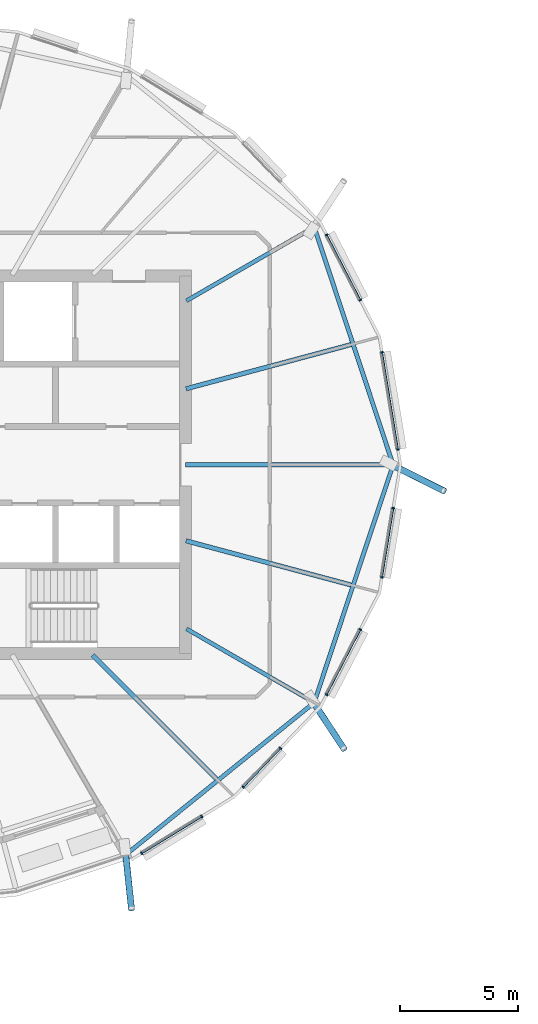
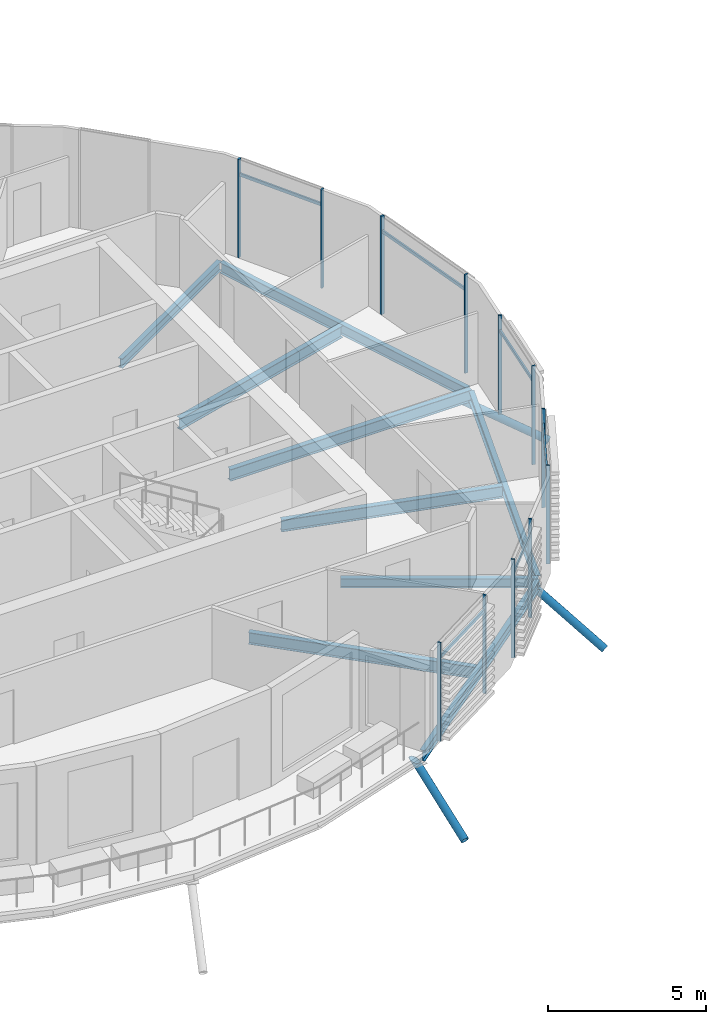
# One storey, part 6 of 41: 21 members, 9 beams, 1 element without a shape of its own.
"""IFC4 building model written with IfcOpenShell, lengths in metres."""

import ifcopenshell
import ifcopenshell.guid

model = None  # the IFC model being written
_history = None  # IfcOwnerHistory: only IFC2X3 demands one
_inside = {}  # id of a spatial element -> (the spatial element, [elements in it])
_under = {}  # id of a project, library or spatial element -> (it, [spatial elements below it])
_declared = {}  # id of a project -> (the project, [libraries it declares])
_typed = {}  # id of a type object -> (the type object, [elements of that type])
_made_of = {}  # id of a material, layer set ... -> (it, [elements and type objects made of it])


def new_model(schema):
    """Start an empty IFC model of exactly this schema.

    Asked for "IFC4X3", IfcOpenShell would pick the latest addendum, in which some entities
    have other attributes; the version numbers below select the first issue.
    IFC2X3 requires an IfcOwnerHistory on every rooted entity: one is made here for all.
    """
    global model, _history
    if schema == "IFC4X3":
        model = ifcopenshell.file(schema_version=(4, 3, 0, 0))
    else:
        model = ifcopenshell.file(schema=schema)
    _inside.clear()
    _under.clear()
    _declared.clear()
    _typed.clear()
    _made_of.clear()
    _history = None
    if model.schema == "IFC2X3":
        org = make("IfcOrganization", Name="unknown")
        user = make(
            "IfcPersonAndOrganization",
            ThePerson=make("IfcPerson", FamilyName="unknown"),
            TheOrganization=org,
        )
        app = make(
            "IfcApplication",
            ApplicationDeveloper=org,
            Version="unknown",
            ApplicationFullName="unknown",
            ApplicationIdentifier="unknown",
        )
        _history = make(
            "IfcOwnerHistory",
            OwningUser=user,
            OwningApplication=app,
            ChangeAction="ADDED",
            CreationDate=0,
        )
    return model


def make(cls, **values):
    """One entity of the class cls with the attributes given. An attribute that is None is left unset."""
    return model.create_entity(
        cls, **{name: value for name, value in values.items() if value is not None}
    )


def rooted(cls, **values):
    """An entity with a GlobalId (a new one), such as an element, a storey or a relation."""
    return make(cls, GlobalId=ifcopenshell.guid.new(), OwnerHistory=_history, **values)


def si_unit(unit_type, name, prefix=None):
    """IfcSIUnit, for example si_unit("LENGTHUNIT", "METRE", prefix="MILLI")."""
    return make("IfcSIUnit", UnitType=unit_type, Prefix=prefix, Name=name)


def assignment(units):
    """IfcUnitAssignment: the units of a project."""
    return None if units is None else make("IfcUnitAssignment", Units=units)


def point(xyz):
    """IfcCartesianPoint."""
    return None if xyz is None else make("IfcCartesianPoint", Coordinates=xyz)


def direction(xyz):
    """IfcDirection."""
    return None if xyz is None else make("IfcDirection", DirectionRatios=xyz)


def frame(location, z_axis=None, x_axis=None):
    """IfcAxis2Placement3D, a coordinate frame: its origin and axes. An axis left out is left unset."""
    return make(
        "IfcAxis2Placement3D",
        Location=point(location),
        Axis=direction(z_axis),
        RefDirection=direction(x_axis),
    )


def frame_2d(location, x_axis=None):
    """IfcAxis2Placement2D, a coordinate frame in the plane: its origin and x axis."""
    return make(
        "IfcAxis2Placement2D", Location=point(location), RefDirection=direction(x_axis)
    )


def origin():
    """The frame at (0, 0, 0) with its axes left unset."""
    return frame((0.0, 0.0, 0.0))


def origin_2d():
    """The frame at (0, 0) in the plane with its x axis left unset."""
    return frame_2d((0.0, 0.0))


def place(relative_to, where):
    """IfcLocalPlacement: puts the frame where relative to a parent placement (None: the world)."""
    return make(
        "IfcLocalPlacement", PlacementRelTo=relative_to, RelativePlacement=where
    )


def context(
    kind, dimensions, precision=None, world=None, true_north=None, identifier=None
):
    """IfcGeometricRepresentationContext, for example the 3D "Model" context."""
    return make(
        "IfcGeometricRepresentationContext",
        ContextIdentifier=identifier,
        ContextType=kind,
        CoordinateSpaceDimension=dimensions,
        Precision=precision,
        WorldCoordinateSystem=world,
        TrueNorth=true_north,
    )


def subcontext(parent, identifier, kind, view, scale=None):
    """IfcGeometricRepresentationSubContext, for example "Body" below "Model"."""
    return make(
        "IfcGeometricRepresentationSubContext",
        ContextIdentifier=identifier,
        ContextType=kind,
        ParentContext=parent,
        TargetScale=scale,
        TargetView=view,
    )


def project(units=None, contexts=None):
    """IfcProject with its units and contexts."""
    return rooted(
        "IfcProject",
        Name="project",
        RepresentationContexts=contexts,
        UnitsInContext=assignment(units),
    )


def spatial(cls, under=None, at=None, **own):
    """A site, building, storey or space (cls), placed at a placement, below another one or the project."""
    s = rooted(cls, ObjectPlacement=at, **own)
    if under is not None:
        _under.setdefault(under.id(), (under, []))[1].append(s)
    return s


def profile(cls, at=None, kind="AREA", **sizes):
    """A parametric profile (cls). Its sizes go by their IFC names, for example OverallWidth=200.0."""
    return make(cls, ProfileType=kind, Position=at, **sizes)


def rectangle(**sizes):
    """IfcRectangleProfileDef."""
    return profile("IfcRectangleProfileDef", **sizes)


def hollow_circle(**sizes):
    """IfcCircleHollowProfileDef."""
    return profile("IfcCircleHollowProfileDef", **sizes)


def i_section(**sizes):
    """IfcIShapeProfileDef."""
    return profile("IfcIShapeProfileDef", **sizes)


def extrude(swept, where, along, depth):
    """IfcExtrudedAreaSolid: the profile swept, set in the frame where, extruded along a direction by depth."""
    return make(
        "IfcExtrudedAreaSolid",
        SweptArea=swept,
        Position=where,
        ExtrudedDirection=direction(along),
        Depth=depth,
    )


def clip(a, b, op="DIFFERENCE"):
    """IfcBooleanClippingResult: the solid a cut by the half space b."""
    return make(
        "IfcBooleanClippingResult", Operator=op, FirstOperand=a, SecondOperand=b
    )


def halfspace(plane, agree):
    """IfcHalfSpaceSolid: all space on one side of the plane z = 0 of the frame plane."""
    return make(
        "IfcHalfSpaceSolid",
        BaseSurface=make("IfcPlane", Position=plane),
        AgreementFlag=agree,
    )


def shape(context_of_items, identifier, shape_type, items):
    """IfcShapeRepresentation: the items that make up one representation, for example the "Body"."""
    return make(
        "IfcShapeRepresentation",
        ContextOfItems=context_of_items,
        RepresentationIdentifier=identifier,
        RepresentationType=shape_type,
        Items=items,
    )


def material(Name=None, Category=None):
    """IfcMaterial."""
    return make("IfcMaterial", Name=Name, Category=Category)


def material_profile(
    of_material, cross_section, Name=None, Category=None, Priority=None
):
    """IfcMaterialProfile: a cross section and its material."""
    return make(
        "IfcMaterialProfile",
        Name=Name,
        Material=of_material,
        Profile=cross_section,
        Priority=Priority,
        Category=Category,
    )


def profile_set(profiles, Name=None, composite=None):
    """IfcMaterialProfileSet."""
    return make(
        "IfcMaterialProfileSet",
        Name=Name,
        MaterialProfiles=profiles,
        CompositeProfile=composite,
    )


def made_of(thing, what):
    """Note that an element or type object is made of a material, layer set ...; save() writes the relation."""
    if what is not None:
        _made_of.setdefault(what.id(), (what, []))[1].append(thing)
    return thing


def type_object(cls, material=None, **own):
    """A type object (cls), such as IfcWallType, which elements share."""
    return made_of(rooted(cls, **own), material)


def element(
    cls,
    number,
    at=None,
    inside=None,
    cuts=None,
    type_object=None,
    material=None,
    context=None,
    identifier="Body",
    shape_type=None,
    held_by="IfcProductDefinitionShape",
    body=None,
    shapes=None,
    **own,
):
    """One element of the class cls, such as IfcWall. Its Tag is "e" and its number.

    at: its placement. inside: the storey or other place that contains it. cuts: it is an
    opening in that element (IfcRelVoidsElement). A single representation is given by context,
    identifier, shape_type and body (its items); several are given by shapes. held_by: the class
    of the entity that holds the representations. save() writes the other relations.
    """
    e = rooted(cls, Tag="e%d" % number, ObjectPlacement=at, **own)
    if body is not None:
        shapes = [shape(context, identifier, shape_type, body)]
    if shapes is not None:
        e.Representation = make(held_by, Representations=shapes)
    if inside is not None:
        _inside.setdefault(inside.id(), (inside, []))[1].append(e)
    if cuts is not None:
        rooted(
            "IfcRelVoidsElement", RelatingBuildingElement=cuts, RelatedOpeningElement=e
        )
    if type_object is not None:
        _typed.setdefault(type_object.id(), (type_object, []))[1].append(e)
    return made_of(e, material)


def aggregate(whole, parts):
    """IfcRelAggregates: a whole, such as a stair, and the parts it consists of."""
    return rooted("IfcRelAggregates", RelatingObject=whole, RelatedObjects=parts)


def save(model, path):
    """Write the relations noted so far, then the file.

    IfcRelAggregates (storeys below a building ...), IfcRelContainedInSpatialStructure (elements
    in a storey), IfcRelDefinesByType, IfcRelAssociatesMaterial and IfcRelDeclares: one each for
    every whole, place, type object, material and project.
    """
    for whole, parts in _under.values():
        aggregate(whole, parts)
    for where, things in _inside.values():
        rooted(
            "IfcRelContainedInSpatialStructure",
            RelatedElements=things,
            RelatingStructure=where,
        )
    for kind, things in _typed.values():
        rooted("IfcRelDefinesByType", RelatedObjects=things, RelatingType=kind)
    for what, things in _made_of.values():
        rooted("IfcRelAssociatesMaterial", RelatedObjects=things, RelatingMaterial=what)
    for by, libraries in _declared.values():
        rooted("IfcRelDeclares", RelatingContext=by, RelatedDefinitions=libraries)
    model.write(path)


model = new_model("IFC4")

# Units and contexts
model_context = context("Model", 3, precision=1e-05, world=origin(), true_north=direction((0.0, 1.0)))
body_context = subcontext(model_context, "Body", "Model", "MODEL_VIEW")
ifc_project = project(units=[si_unit("LENGTHUNIT", "METRE"), si_unit("AREAUNIT", "SQUARE_METRE"), si_unit("VOLUMEUNIT", "CUBIC_METRE"), si_unit("PLANEANGLEUNIT", "RADIAN"), si_unit("MASSUNIT", "GRAM", prefix="KILO")], contexts=[model_context])

# Site, building, storey
site_placement = place(None, origin())
site = spatial("IfcSite", under=ifc_project, at=site_placement, CompositionType="ELEMENT")
building_placement = place(site_placement, origin())
building = spatial("IfcBuilding", under=site, at=building_placement, Name="Rimbun Link Towers", CompositionType="ELEMENT")
storey_placement = place(building_placement, frame((0.0, 0.0, 210.5)))
storey = spatial("IfcBuildingStorey", under=building, at=storey_placement, Name="L51", CompositionType="ELEMENT", Elevation=210.5)

# Curtain wall, members
ifc_material_1 = material(Name="Aluminium 6063-T6 and low-iron glass", Category="aluminium")
curtain_wall_type = type_object("IfcCurtainWallType", Name="CW1-Z4 unitised vision wall (zone 4)", PredefinedType="NOTDEFINED", material=ifc_material_1)
curtain_wall_placement = place(storey_placement, origin())
curtain_wall = element("IfcCurtainWall", 1, at=curtain_wall_placement, inside=storey, type_object=curtain_wall_type, Name="CW1 L51 T1", PredefinedType="NOTDEFINED")
ifc_material_2 = material(Name="Aluminium 6063-T6", Category="aluminium")
ifc_material_profile_1 = material_profile(ifc_material_2, rectangle(XDim=0.1201171875, YDim=0.06005859375, at=origin_2d()), Name="MULLION 60X120")
ifc_profile_set_1 = profile_set([ifc_material_profile_1], Name="Aluminium 6063-T6")
member_type_1 = type_object("IfcMemberType", Name="CW1 mullion 60X120", PredefinedType="MULLION", material=ifc_profile_set_1)
member_1_placement = place(storey_placement, frame((-11.413818359375, 4.773193359375, 0.0), z_axis=(0.0, 0.0, 1.0), x_axis=(0.986747369979, 0.162264068235, 0.0)))
member_1 = element("IfcMember", 2, at=member_1_placement, type_object=member_type_1, Name="CW1 mullion", PredefinedType="MULLION", context=body_context, shape_type="SweptSolid", body=[
    extrude(rectangle(XDim=0.1201171875, YDim=0.06005859375, at=origin_2d()), origin(), (0.0, 0.0, 1.0), 3.800048828125),
])
member_2_placement = place(storey_placement, frame((-10.736083984375, 0.651123046875, 0.0), z_axis=(0.0, 0.0, 1.0), x_axis=(0.986747369979, 0.162264068235, 0.0)))
member_2 = element("IfcMember", 3, at=member_2_placement, type_object=member_type_1, Name="CW1 mullion", PredefinedType="MULLION", context=body_context, shape_type="SweptSolid", body=[
    extrude(rectangle(XDim=0.1201171875, YDim=0.06005859375, at=origin_2d()), origin(), (0.0, 0.0, 1.0), 3.800048828125),
])
member_3_placement = place(storey_placement, frame((-13.759033203125, 9.74951171875, 0.0), z_axis=(0.0, 0.0, 1.0), x_axis=(0.888150016656, 0.459553639865, 0.0)))
member_3 = element("IfcMember", 4, at=member_3_placement, type_object=member_type_1, Name="CW1 mullion", PredefinedType="MULLION", context=body_context, shape_type="SweptSolid", body=[
    extrude(rectangle(XDim=0.1201171875, YDim=0.06005859375, at=origin_2d()), origin(), (0.0, 0.0, 1.0), 3.800048828125),
])
member_4_placement = place(storey_placement, frame((-12.32958984375, 6.98681640625, 0.0), z_axis=(0.0, 0.0, 1.0), x_axis=(0.888150016656, 0.459553639865, 0.0)))
member_4 = element("IfcMember", 5, at=member_4_placement, type_object=member_type_1, Name="CW1 mullion", PredefinedType="MULLION", context=body_context, shape_type="SweptSolid", body=[
    extrude(rectangle(XDim=0.1201171875, YDim=0.06005859375, at=origin_2d()), origin(), (0.0, 0.0, 1.0), 3.800048828125),
])
member_5_placement = place(storey_placement, frame((-19.0556640625, -14.914794921875, 0.0), z_axis=(0.0, 0.0, 1.0), x_axis=(0.523242195727, -0.852184020392, 0.0)))
member_5 = element("IfcMember", 6, at=member_5_placement, type_object=member_type_1, Name="CW1 mullion", PredefinedType="MULLION", context=body_context, shape_type="SweptSolid", body=[
    extrude(rectangle(XDim=0.1201171875, YDim=0.06005859375, at=origin_2d()), origin(), (0.0, 0.0, 1.0), 3.800048828125),
])
member_6_placement = place(storey_placement, frame((-21.60009765625, -16.47705078125, 0.0), z_axis=(0.0, 0.0, 1.0), x_axis=(0.523242195727, -0.852184020392, 0.0)))
member_6 = element("IfcMember", 7, at=member_6_placement, type_object=member_type_1, Name="CW1 mullion", PredefinedType="MULLION", context=body_context, shape_type="SweptSolid", body=[
    extrude(rectangle(XDim=0.1201171875, YDim=0.06005859375, at=origin_2d()), origin(), (0.0, 0.0, 1.0), 3.800048828125),
])
member_7_placement = place(storey_placement, frame((-15.71728515625, -12.0205078125, 0.0), z_axis=(0.0, 0.0, 1.0), x_axis=(0.721846446019, -0.692053255443, 0.0)))
member_7 = element("IfcMember", 8, at=member_7_placement, type_object=member_type_1, Name="CW1 mullion", PredefinedType="MULLION", context=body_context, shape_type="SweptSolid", body=[
    extrude(rectangle(XDim=0.1201171875, YDim=0.06005859375, at=origin_2d()), origin(), (0.0, 0.0, 1.0), 3.800048828125),
])
member_8_placement = place(storey_placement, frame((-17.299560546875, -13.6708984375, 0.0), z_axis=(0.0, 0.0, 1.0), x_axis=(0.721846446019, -0.692053255443, 0.0)))
member_8 = element("IfcMember", 9, at=member_8_placement, type_object=member_type_1, Name="CW1 mullion", PredefinedType="MULLION", context=body_context, shape_type="SweptSolid", body=[
    extrude(rectangle(XDim=0.1201171875, YDim=0.06005859375, at=origin_2d()), origin(), (0.0, 0.0, 1.0), 3.800048828125),
])
member_9_placement = place(storey_placement, frame((-12.32958984375, -6.98681640625, 0.0), z_axis=(0.0, 0.0, 1.0), x_axis=(0.888150016656, -0.459553639865, 0.0)))
member_9 = element("IfcMember", 10, at=member_9_placement, type_object=member_type_1, Name="CW1 mullion", PredefinedType="MULLION", context=body_context, shape_type="SweptSolid", body=[
    extrude(rectangle(XDim=0.1201171875, YDim=0.06005859375, at=origin_2d()), origin(), (0.0, 0.0, 1.0), 3.800048828125),
])
member_10_placement = place(storey_placement, frame((-13.759033203125, -9.74951171875, 0.0), z_axis=(0.0, 0.0, 1.0), x_axis=(0.888150016656, -0.459553639865, 0.0)))
member_10 = element("IfcMember", 11, at=member_10_placement, type_object=member_type_1, Name="CW1 mullion", PredefinedType="MULLION", context=body_context, shape_type="SweptSolid", body=[
    extrude(rectangle(XDim=0.1201171875, YDim=0.06005859375, at=origin_2d()), origin(), (0.0, 0.0, 1.0), 3.800048828125),
])
member_11_placement = place(storey_placement, frame((-10.9306640625, -1.835205078125, 0.0), z_axis=(0.0, 0.0, 1.0), x_axis=(0.986747369979, -0.162264068235, 0.0)))
member_11 = element("IfcMember", 12, at=member_11_placement, type_object=member_type_1, Name="CW1 mullion", PredefinedType="MULLION", context=body_context, shape_type="SweptSolid", body=[
    extrude(rectangle(XDim=0.1201171875, YDim=0.06005859375, at=origin_2d()), origin(), (0.0, 0.0, 1.0), 3.800048828125),
])
member_12_placement = place(storey_placement, frame((-11.413818359375, -4.773193359375, 0.0), z_axis=(0.0, 0.0, 1.0), x_axis=(0.986747369979, -0.162264068235, 0.0)))
member_12 = element("IfcMember", 13, at=member_12_placement, type_object=member_type_1, Name="CW1 mullion", PredefinedType="MULLION", context=body_context, shape_type="SweptSolid", body=[
    extrude(rectangle(XDim=0.1201171875, YDim=0.06005859375, at=origin_2d()), origin(), (0.0, 0.0, 1.0), 3.800048828125),
])
ifc_material_3 = material(Name="Aluminium 6063-T6", Category="aluminium")
ifc_material_profile_2 = material_profile(ifc_material_3, rectangle(XDim=0.06005859375, YDim=0.1201171875, at=origin_2d()), Name="TRANSOM 60X120")
ifc_profile_set_2 = profile_set([ifc_material_profile_2], Name="Aluminium 6063-T6")
member_type_2 = type_object("IfcMemberType", Name="CW1 transom 60X120", PredefinedType="USERDEFINED", material=ifc_profile_set_2)
member_13_placement = place(storey_placement, frame((-11.4111328125, 4.743408203125, 3.199951171875), z_axis=(0.162283312675, -0.986744205165, 0.0), x_axis=(0.986744205165, 0.162283312675, 0.0)))
member_13 = element("IfcMember", 14, at=member_13_placement, type_object=member_type_2, Name="CW1 transom", ObjectType="TRANSOM", PredefinedType="USERDEFINED", context=body_context, shape_type="SweptSolid", body=[
    extrude(rectangle(XDim=0.06005859375, YDim=0.1201171875, at=origin_2d()), origin(), (0.0, 0.0, 1.0), 4.11767578125),
])
member_14_placement = place(storey_placement, frame((-13.7470703125, 9.721923828125, 3.199951171875), z_axis=(0.459527419058, -0.888163583544, 0.0), x_axis=(0.888163583544, 0.459527419058, 0.0)))
member_14 = element("IfcMember", 15, at=member_14_placement, type_object=member_type_2, Name="CW1 transom", ObjectType="TRANSOM", PredefinedType="USERDEFINED", context=body_context, shape_type="SweptSolid", body=[
    extrude(rectangle(XDim=0.06005859375, YDim=0.1201171875, at=origin_2d()), origin(), (0.0, 0.0, 1.0), 3.050537109375),
])
member_15_placement = place(storey_placement, frame((-19.082275390625, -14.9287109375, 3.199951171875), z_axis=(-0.852176447693, -0.523254528883, 0.0), x_axis=(0.523254528883, -0.852176447693, 0.0)))
member_15 = element("IfcMember", 16, at=member_15_placement, type_object=member_type_2, Name="CW1 transom", ObjectType="TRANSOM", PredefinedType="USERDEFINED", context=body_context, shape_type="SweptSolid", body=[
    extrude(rectangle(XDim=0.06005859375, YDim=0.1201171875, at=origin_2d()), origin(), (0.0, 0.0, 1.0), 2.926025390625),
])
member_16_placement = place(storey_placement, frame((-15.739501953125, -12.040771484375, 3.199951171875), z_axis=(-0.692036343125, -0.721862659925, 0.0), x_axis=(0.721862659925, -0.692036343125, 0.0)))
member_16 = element("IfcMember", 17, at=member_16_placement, type_object=member_type_2, Name="CW1 transom", ObjectType="TRANSOM", PredefinedType="USERDEFINED", context=body_context, shape_type="SweptSolid", body=[
    extrude(rectangle(XDim=0.06005859375, YDim=0.1201171875, at=origin_2d()), origin(), (0.0, 0.0, 1.0), 2.226318359375),
])
member_17_placement = place(storey_placement, frame((-12.34521484375, -7.012451171875, 3.199951171875), z_axis=(-0.459527419058, -0.888163583544, 0.0), x_axis=(0.888163583544, -0.459527419058, 0.0)))
member_17 = element("IfcMember", 18, at=member_17_placement, type_object=member_type_2, Name="CW1 transom", ObjectType="TRANSOM", PredefinedType="USERDEFINED", context=body_context, shape_type="SweptSolid", body=[
    extrude(rectangle(XDim=0.06005859375, YDim=0.1201171875, at=origin_2d()), origin(), (0.0, 0.0, 1.0), 3.050537109375),
])
member_18_placement = place(storey_placement, frame((-10.937744140625, -1.864501953125, 3.199951171875), z_axis=(-0.162254593898, -0.986748927924, 0.0), x_axis=(0.986748927924, -0.162254593898, 0.0)))
member_18 = element("IfcMember", 19, at=member_18_placement, type_object=member_type_2, Name="CW1 transom", ObjectType="TRANSOM", PredefinedType="USERDEFINED", context=body_context, shape_type="SweptSolid", body=[
    extrude(rectangle(XDim=0.06005859375, YDim=0.1201171875, at=origin_2d()), origin(), (0.0, 0.0, 1.0), 2.91748046875),
])
aggregate(curtain_wall, [member_1, member_2, member_3, member_4, member_5, member_6, member_7, member_8, member_9, member_10, member_11, member_12, member_13, member_14, member_15, member_16, member_17, member_18])

# Members
ifc_material_4 = material(Name="Steel S355J2H", Category="steel")
ifc_material_profile_3 = material_profile(ifc_material_4, hollow_circle(Radius=0.136474609375, WallThickness=0.012451171875, at=origin_2d()), Name="CHS 273x12.5")
ifc_profile_set_3 = profile_set([ifc_material_profile_3], Name="Steel S355J2H")
member_type_3 = type_object("IfcMemberType", Name="Floor edge link CHS 273x12.5", PredefinedType="BRACE", material=ifc_profile_set_3)
member_19_placement = place(storey_placement, frame((-10.9931640625, 0.0, -0.710205078125), z_axis=(0.7653273601, -0.384342397664, -0.516289602103), x_axis=(0.448781044604, 0.893641748132, 0.0)))
element("IfcMember", 20, at=member_19_placement, inside=storey, type_object=member_type_3, Name="Floor edge link T1 L51 00", PredefinedType="BRACE", context=body_context, shape_type="Clipping", body=[
    clip(extrude(hollow_circle(Radius=0.136474609375, WallThickness=0.012451171875, at=origin_2d()), frame((0.0, 0.0, -0.47216796875)), (0.0, 0.0, 1.0), 3.380859375), halfspace(frame((0.0, 0.0, -0.222412109375), z_axis=(0.0, 0.856414062682, -0.516289602103)), False)),
])
member_20_placement = place(storey_placement, frame((-22.298828125, -16.369873046875, -0.79052734375), z_axis=(0.091504012591, -0.857755065394, -0.50584905206), x_axis=(0.994357960866, 0.106076602799, 0.0)))
element("IfcMember", 21, at=member_20_placement, inside=storey, type_object=member_type_3, Name="Floor edge link T1 L51 20", PredefinedType="BRACE", context=body_context, shape_type="Clipping", body=[
    clip(extrude(hollow_circle(Radius=0.136474609375, WallThickness=0.012451171875, at=origin_2d()), frame((0.0, 0.0, -0.4853515625)), (0.0, 0.0, 1.0), 3.375), halfspace(frame((0.0, 0.0, -0.228271484375), z_axis=(0.0, 0.862622012546, -0.50584905206)), False)),
])
member_21_placement = place(storey_placement, frame((-14.331298828125, -10.056640625, -0.609619140625), z_axis=(0.46215677219, -0.703002654026, -0.540553777483), x_axis=(0.835605308617, 0.549330290637, 0.0)))
element("IfcMember", 22, at=member_21_placement, inside=storey, type_object=member_type_3, Name="Floor edge link T1 L51 22", PredefinedType="BRACE", context=body_context, shape_type="Clipping", body=[
    clip(extrude(hollow_circle(Radius=0.136474609375, WallThickness=0.012451171875, at=origin_2d()), frame((0.0, 0.0, -0.443359375)), (0.0, 0.0, 1.0), 3.29296875), halfspace(frame((0.0, 0.0, -0.208251953125), z_axis=(0.0, 0.841309463663, -0.540553777483)), False)),
])

# Beams
ifc_material_5 = material(Name="Steel S355J2", Category="steel")
ifc_material_profile_4 = material_profile(ifc_material_5, i_section(OverallWidth=0.17138671875, OverallDepth=0.35498046875, WebThickness=0.00732421875, FlangeThickness=0.011474609375, at=origin_2d()), Name="UB 356x171x51")
ifc_profile_set_4 = profile_set([ifc_material_profile_4], Name="Steel S355J2")
beam_type_1 = type_object("IfcBeamType", Name="UB 356x171x51", PredefinedType="BEAM", material=ifc_profile_set_4)
for number, where, z_axis, x_axis, name in (
    (23, (-19.706298828125, 6.95361328125, -0.3173828125), (0.866027676865, 0.499996062888, 0.0), (-0.499996062888, 0.866027676865, 0.0), "Radial beam T1 L51 02"),
    (24, (-19.706298828125, -6.95361328125, -0.3173828125), (0.866027676865, -0.499996062888, 0.0), (0.499996062888, 0.866027676865, 0.0), "Radial beam T1 L51 22"),
):
    element("IfcBeam", number, at=place(storey_placement, frame(where, z_axis=z_axis, x_axis=x_axis)), inside=storey, type_object=beam_type_1, Name=name, PredefinedType="BEAM", context=body_context, shape_type="SweptSolid", body=[
        extrude(i_section(OverallWidth=0.17138671875, OverallDepth=0.35498046875, WebThickness=0.00732421875, FlangeThickness=0.011474609375, at=origin_2d()), origin(), (0.0, 0.0, 1.0), 6.25634765625),
    ])
ifc_material_6 = material(Name="Steel S355J2", Category="steel")
ifc_material_profile_5 = material_profile(ifc_material_6, i_section(OverallWidth=0.177978515625, OverallDepth=0.406494140625, WebThickness=0.0078125, FlangeThickness=0.0126953125, at=origin_2d()), Name="UB 406x178x60")
ifc_profile_set_5 = profile_set([ifc_material_profile_5], Name="Steel S355J2")
beam_type_2 = type_object("IfcBeamType", Name="UB 406x178x60", PredefinedType="BEAM", material=ifc_profile_set_5)
beam_1_placement = place(storey_placement, frame((-10.97509765625, 0.095947265625, -0.34326171875), z_axis=(-0.314879467801, 0.949131666713, 0.0), x_axis=(-0.949131666713, -0.314879467801, 0.0)))
element("IfcBeam", 25, at=beam_1_placement, inside=storey, type_object=beam_type_2, Name="Edge beam T1 L51 00-02", PredefinedType="BEAM", context=body_context, shape_type="SweptSolid", body=[
    extrude(i_section(OverallWidth=0.177978515625, OverallDepth=0.406494140625, WebThickness=0.0078125, FlangeThickness=0.0126953125, at=origin_2d()), origin(), (0.0, 0.0, 1.0), 10.432373046875),
])
beam_2_placement = place(storey_placement, frame((-22.227294921875, -16.491943359375, -0.34326171875), z_axis=(0.778038768579, 0.628216264187, 0.0), x_axis=(-0.628216264187, 0.778038768579, 0.0)))
element("IfcBeam", 26, at=beam_2_placement, inside=storey, type_object=beam_type_2, Name="Edge beam T1 L51 20-22", PredefinedType="BEAM", context=body_context, shape_type="SweptSolid", body=[
    extrude(i_section(OverallWidth=0.177978515625, OverallDepth=0.406494140625, WebThickness=0.0078125, FlangeThickness=0.0126953125, at=origin_2d()), origin(), (0.0, 0.0, 1.0), 10.111328125),
])
beam_3_placement = place(storey_placement, frame((-14.260009765625, -9.99755859375, -0.34326171875), z_axis=(0.314879467801, 0.949131666713, 0.0), x_axis=(-0.949131666713, 0.314879467801, 0.0)))
element("IfcBeam", 27, at=beam_3_placement, inside=storey, type_object=beam_type_2, Name="Edge beam T1 L51 22-00", PredefinedType="BEAM", context=body_context, shape_type="SweptSolid", body=[
    extrude(i_section(OverallWidth=0.177978515625, OverallDepth=0.406494140625, WebThickness=0.0078125, FlangeThickness=0.0126953125, at=origin_2d()), origin(), (0.0, 0.0, 1.0), 10.432373046875),
])
ifc_material_7 = material(Name="Steel S355J2", Category="steel")
ifc_material_profile_6 = material_profile(ifc_material_7, i_section(OverallWidth=0.18994140625, OverallDepth=0.453369140625, WebThickness=0.008544921875, FlangeThickness=0.0126953125, at=origin_2d()), Name="UB 457x191x67")
ifc_profile_set_6 = profile_set([ifc_material_profile_6], Name="Steel S355J2")
beam_type_3 = type_object("IfcBeamType", Name="UB 457x191x67", PredefinedType="BEAM", material=ifc_profile_set_6)
beam_4_placement = place(storey_placement, frame((-19.7490234375, 0.0, -0.36669921875), z_axis=(1.0, 0.0, 0.0), x_axis=(0.0, 1.0, 0.0)))
element("IfcBeam", 28, at=beam_4_placement, inside=storey, type_object=beam_type_3, Name="Radial beam T1 L51 00", PredefinedType="BEAM", context=body_context, shape_type="SweptSolid", body=[
    extrude(i_section(OverallWidth=0.18994140625, OverallDepth=0.453369140625, WebThickness=0.008544921875, FlangeThickness=0.0126953125, at=origin_2d()), origin(), (0.0, 0.0, 1.0), 8.805908203125),
])
beam_5_placement = place(storey_placement, frame((-19.724609375, 3.22216796875, -0.36669921875), z_axis=(0.965924276963, 0.258824827198, 0.0), x_axis=(-0.258824827198, 0.965924276963, 0.0)))
element("IfcBeam", 29, at=beam_5_placement, inside=storey, type_object=beam_type_3, Name="Radial beam T1 L51 01", PredefinedType="BEAM", context=body_context, shape_type="SweptSolid", body=[
    extrude(i_section(OverallWidth=0.18994140625, OverallDepth=0.453369140625, WebThickness=0.008544921875, FlangeThickness=0.0126953125, at=origin_2d()), origin(), (0.0, 0.0, 1.0), 7.242431640625),
])
beam_6_placement = place(storey_placement, frame((-23.68212890625, -8.06787109375, -0.36669921875), z_axis=(0.707106781187, -0.707106781187, 0.0), x_axis=(0.707106781187, 0.707106781187, 0.0)))
element("IfcBeam", 30, at=beam_6_placement, inside=storey, type_object=beam_type_3, Name="Radial beam T1 L51 21", PredefinedType="BEAM", context=body_context, shape_type="SweptSolid", body=[
    extrude(i_section(OverallWidth=0.18994140625, OverallDepth=0.453369140625, WebThickness=0.008544921875, FlangeThickness=0.0126953125, at=origin_2d()), origin(), (0.0, 0.0, 1.0), 7.420166015625),
])
beam_7_placement = place(storey_placement, frame((-19.724609375, -3.22216796875, -0.36669921875), z_axis=(0.965924276963, -0.258824827198, 0.0), x_axis=(0.258824827198, 0.965924276963, 0.0)))
element("IfcBeam", 31, at=beam_7_placement, inside=storey, type_object=beam_type_3, Name="Radial beam T1 L51 23", PredefinedType="BEAM", context=body_context, shape_type="SweptSolid", body=[
    extrude(i_section(OverallWidth=0.18994140625, OverallDepth=0.453369140625, WebThickness=0.008544921875, FlangeThickness=0.0126953125, at=origin_2d()), origin(), (0.0, 0.0, 1.0), 7.242431640625),
])

save(model, "model.ifc")
